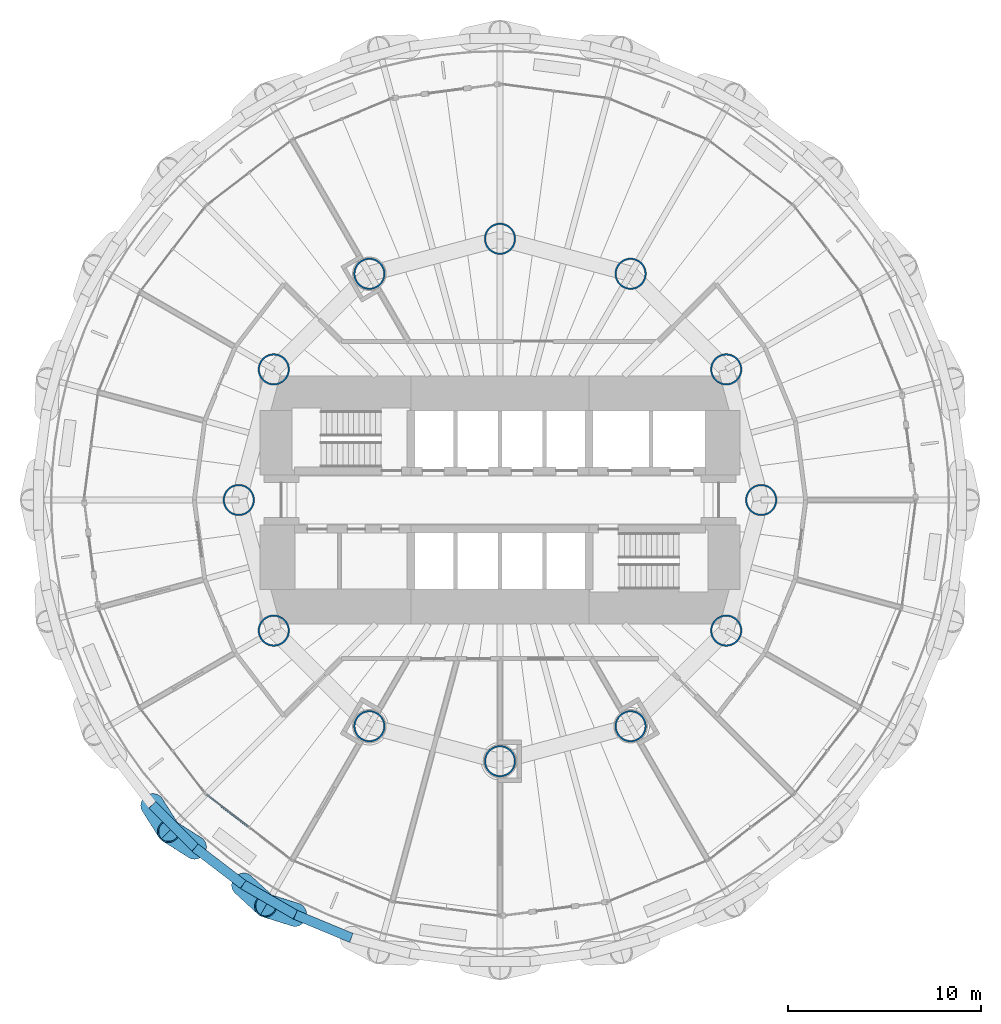
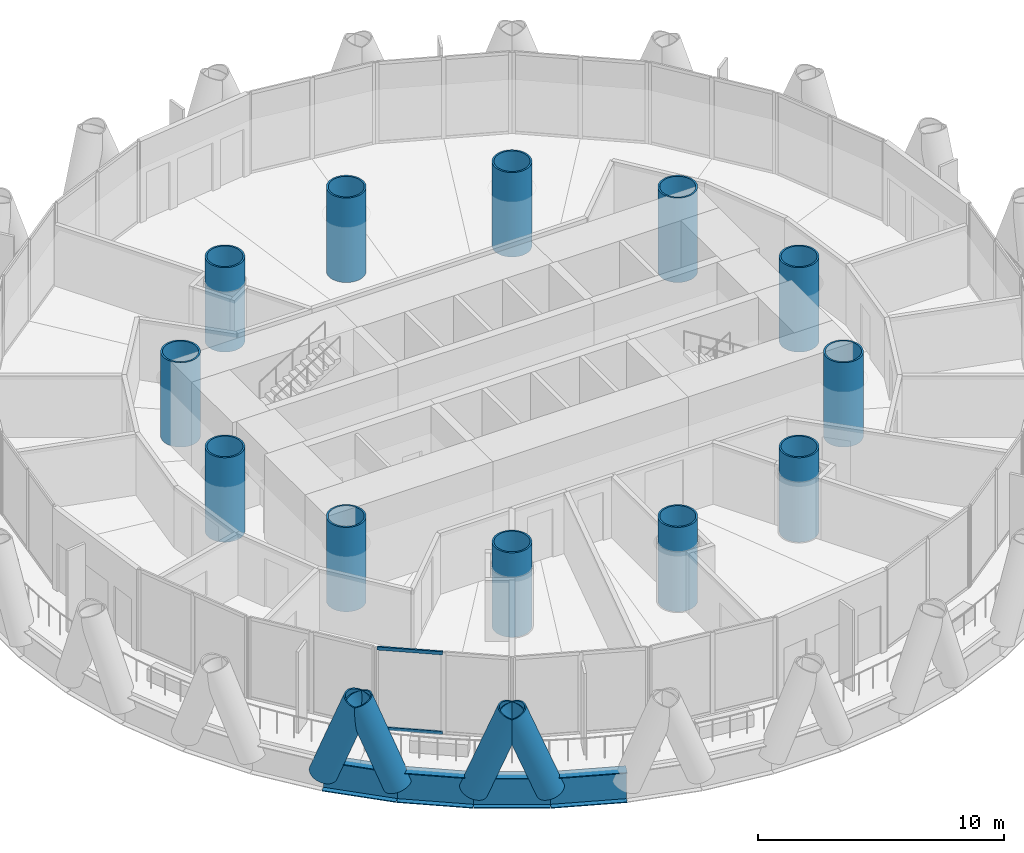
# One storey, part 1 of 16: 12 columns, 6 members, 4 beams, 1 element without a shape of its own.
"""IFC4 building model written with IfcOpenShell, lengths in metres."""

from ifc_helpers import new_model, si_unit, direction, frame, origin, origin_2d, place, context, subcontext, project, spatial, rectangle, hollow_circle, i_section, extrude, material, material_profile, profile_set, type_object, element, aggregate, save


model = new_model("IFC4")

# Units and contexts
model_context = context("Model", 3, precision=1e-05, world=origin(), true_north=direction((0.0, 1.0)))
body_context = subcontext(model_context, "Body", "Model", "MODEL_VIEW")
ifc_project = project(units=[si_unit("LENGTHUNIT", "METRE"), si_unit("AREAUNIT", "SQUARE_METRE"), si_unit("VOLUMEUNIT", "CUBIC_METRE"), si_unit("PLANEANGLEUNIT", "RADIAN"), si_unit("MASSUNIT", "GRAM", prefix="KILO")], contexts=[model_context])

# Site, building, storey
site_placement = place(None, origin())
site = spatial("IfcSite", under=ifc_project, at=site_placement, CompositionType="ELEMENT")
building_placement = place(site_placement, origin())
building = spatial("IfcBuilding", under=site, at=building_placement, Name="Qaws Media Tower", CompositionType="ELEMENT")
storey_placement = place(building_placement, frame((0.0, 0.0, 38.60009765625)))
storey = spatial("IfcBuildingStorey", under=building, at=storey_placement, Name="L07", CompositionType="ELEMENT", Elevation=38.60009765625)

# Columns
ifc_material_1 = material(Name="Steel S460", Category="steel")
ifc_material_profile_1 = material_profile(ifc_material_1, hollow_circle(Radius=0.81298828125, WallThickness=0.080078125, at=origin_2d()), Name="CHS 1626x80")
ifc_profile_set_1 = profile_set([ifc_material_profile_1], Name="Steel S460")
column_type = type_object("IfcColumnType", Name="Inner column CHS 1626x80", PredefinedType="COLUMN", material=ifc_profile_set_1)
for number, where, z_axis, x_axis, name in (
    (1, (73.5, 50.0, 0.0), (0.0, 0.0, 1.0), (1.0, 0.0, 0.0), "C6 inner column I01 L07"),
    (2, (71.69140625, 56.75, 0.0), (0.0, 0.0, 1.0), (1.0, 0.0, 0.0), "C6 inner column I02 L07"),
    (3, (66.75, 61.69140625, 0.0), (0.0, 0.0, 1.0), (1.0, 0.0, 0.0), "C6 inner column I03 L07"),
    (4, (60.0, 63.5, 0.0), (0.0, 0.0, 1.0), (1.0, 0.0, 0.0), "C6 inner column I04 L07"),
    (5, (53.25, 61.69140625, 0.0), (0.0, 0.0, 1.0), (1.0, 0.0, 0.0), "C6 inner column I05 L07"),
    (6, (48.30859375, 56.75, 0.0), (0.0, 0.0, 1.0), (1.0, 0.0, 0.0), "C6 inner column I06 L07"),
    (7, (46.5, 50.0, 0.0), (0.0, 0.0, 1.0), (1.0, 0.0, 0.0), "C6 inner column I07 L07"),
    (8, (48.30859375, 43.25, 0.0), (0.0, 0.0, 1.0), (1.0, 0.0, 0.0), "C6 inner column I08 L07"),
    (9, (53.25, 38.30859375, 0.0), (0.0, 0.0, 1.0), (1.0, 0.0, 0.0), "C6 inner column I09 L07"),
    (10, (60.0, 36.5, 0.0), (0.0, 0.0, 1.0), (1.0, 0.0, 0.0), "C6 inner column I10 L07"),
    (11, (66.75, 38.30859375, 0.0), (0.0, 0.0, 1.0), (1.0, 0.0, 0.0), "C6 inner column I11 L07"),
    (12, (71.69140625, 43.25, 0.0), (0.0, 0.0, 1.0), (1.0, 0.0, 0.0), "C6 inner column I12 L07"),
):
    element("IfcColumn", number, at=place(storey_placement, frame(where, z_axis=z_axis, x_axis=x_axis)), inside=storey, type_object=column_type, Name=name, PredefinedType="COLUMN", context=body_context, shape_type="SweptSolid", body=[
        extrude(hollow_circle(Radius=0.81298828125, WallThickness=0.080078125, at=origin_2d()), origin(), (0.0, 0.0, 1.0), 4.199951171875),
    ])

# Curtain wall, members
ifc_material_2 = material(Name="Aluminium and clear glass", Category="aluminium")
curtain_wall_type = type_object("IfcCurtainWallType", Name="Unitised curtain wall CW-A", PredefinedType="NOTDEFINED", material=ifc_material_2)
curtain_wall_placement = place(storey_placement, origin())
curtain_wall = element("IfcCurtainWall", 13, at=curtain_wall_placement, inside=storey, type_object=curtain_wall_type, Name="CWA curtain wall L07-16", PredefinedType="NOTDEFINED")
ifc_material_3 = material(Name="Aluminium transom", Category="aluminium")
ifc_material_profile_2 = material_profile(ifc_material_3, rectangle(XDim=0.080078125, YDim=0.159912109375, at=origin_2d()), Name="80x160")
ifc_profile_set_2 = profile_set([ifc_material_profile_2], Name="Aluminium transom")
member_type_1 = type_object("IfcMemberType", Name="Curtain wall transom 80x160", PredefinedType="USERDEFINED", material=ifc_profile_set_2)
member_1_placement = place(storey_placement, frame((44.860595703125, 34.74853515625, 0.039794921875), z_axis=(0.793386899068, -0.608717691863, 0.0), x_axis=(0.608717691863, 0.793386899068, 0.0)))
member_1 = element("IfcMember", 14, at=member_1_placement, type_object=member_type_1, Name="CWA transom 1.1", ObjectType="TRANSOM", PredefinedType="USERDEFINED", context=body_context, shape_type="SweptSolid", body=[
    extrude(rectangle(XDim=0.080078125, YDim=0.159912109375, at=origin_2d()), origin(), (0.0, 0.0, 1.0), 2.686279296875),
])
member_2_placement = place(storey_placement, frame((44.860595703125, 34.74853515625, 4.0), z_axis=(0.793386899068, -0.608717691863, 0.0), x_axis=(0.608717691863, 0.793386899068, 0.0)))
member_2 = element("IfcMember", 15, at=member_2_placement, type_object=member_type_1, Name="CWA transom 1.2", ObjectType="TRANSOM", PredefinedType="USERDEFINED", context=body_context, shape_type="SweptSolid", body=[
    extrude(rectangle(XDim=0.080078125, YDim=0.159912109375, at=origin_2d()), origin(), (0.0, 0.0, 1.0), 2.686279296875),
])
aggregate(curtain_wall, [member_1, member_2])

# Members
ifc_material_4 = material(Name="Steel S460", Category="steel")
ifc_material_profile_3 = material_profile(ifc_material_4, hollow_circle(Radius=0.609619140625, WallThickness=0.06005859375, at=origin_2d()), Name="CHS 1219x60")
ifc_profile_set_3 = profile_set([ifc_material_profile_3], Name="Steel S460")
member_type_2 = type_object("IfcMemberType", Name="Diagrid member CHS 1219x60", PredefinedType="USERDEFINED", material=ifc_profile_set_3)
for number, where, z_axis, x_axis, name in (
    (16, (42.031005859375, 34.24169921875, -0.91015625), (0.190634126153, -0.301158469947, 0.934324465015), (0.844945330191, 0.534852679706, 0.0), "DG1 diagrid L07 A15"),
    (17, (46.721923828125, 30.1279296875, -0.91015625), (0.262058165968, -0.241528013276, 0.93433919775), (0.677716564176, 0.735323234124, 0.0), "DG1 diagrid L07 A16"),
    (18, (44.24169921875, 32.031005859375, -0.91015625), (-0.301158469947, 0.190634126153, 0.934324465015), (-0.534852679706, -0.844945330191, 0.0), "DG1 diagrid L07 B16"),
    (19, (49.42919921875, 28.564697265625, -0.91015625), (-0.340210347051, 0.106234265459, 0.934329278468), (-0.298066743437, -0.954545031131, 0.0), "DG1 diagrid L07 B17"),
):
    element("IfcMember", number, at=place(storey_placement, frame(where, z_axis=z_axis, x_axis=x_axis)), inside=storey, type_object=member_type_2, Name=name, ObjectType="DIAGRID", PredefinedType="USERDEFINED", context=body_context, shape_type="SweptSolid", body=[
        extrude(hollow_circle(Radius=0.609619140625, WallThickness=0.06005859375, at=origin_2d()), origin(), (0.0, 0.0, 1.0), 4.4951171875),
    ])

# Beams
ifc_material_5 = material(Name="Steel S460", Category="steel")
ifc_material_profile_4 = material_profile(ifc_material_5, i_section(OverallWidth=0.5, OverallDepth=1.5, WebThickness=0.02001953125, FlangeThickness=0.0400390625, at=origin_2d()), Name="PG 1500x500")
ifc_profile_set_4 = profile_set([ifc_material_profile_4], Name="Steel S460")
beam_type = type_object("IfcBeamType", Name="Edge ring beam PG 1500x500", PredefinedType="BEAM", material=ifc_profile_set_4)
beam_1_placement = place(storey_placement, frame((42.031005859375, 34.24169921875, -0.91015625), z_axis=(0.707106781187, -0.707106781187, 0.0), x_axis=(0.707106781187, 0.707106781187, 0.0)))
element("IfcBeam", 20, at=beam_1_placement, inside=storey, type_object=beam_type, Name="RB4 edge ring beam L07-30", PredefinedType="BEAM", context=body_context, shape_type="SweptSolid", body=[
    extrude(i_section(OverallWidth=0.5, OverallDepth=1.5, WebThickness=0.02001953125, FlangeThickness=0.0400390625, at=origin_2d()), origin(), (0.0, 0.0, 1.0), 3.12646484375),
])
for number, where, z_axis, x_axis, name in (
    (21, (44.24169921875, 32.031005859375, -0.91015625), (0.793363707434, -0.608747918048, 0.0), (0.608747918048, 0.793363707434, 0.0), "RB4 edge ring beam L07-31"),
    (22, (46.721923828125, 30.1279296875, -0.91015625), (0.86599960537, -0.500044681503, 0.0), (0.500044681503, 0.86599960537, 0.0), "RB4 edge ring beam L07-32"),
):
    element("IfcBeam", number, at=place(storey_placement, frame(where, z_axis=z_axis, x_axis=x_axis)), inside=storey, type_object=beam_type, Name=name, PredefinedType="BEAM", context=body_context, shape_type="SweptSolid", body=[
        extrude(i_section(OverallWidth=0.5, OverallDepth=1.5, WebThickness=0.02001953125, FlangeThickness=0.0400390625, at=origin_2d()), origin(), (0.0, 0.0, 1.0), 3.126220703125),
    ])
beam_2_placement = place(storey_placement, frame((49.42919921875, 28.564697265625, -0.91015625), z_axis=(0.923895011115, -0.382646061572, 0.0), x_axis=(0.382646061572, 0.923895011115, 0.0)))
element("IfcBeam", 23, at=beam_2_placement, inside=storey, type_object=beam_type, Name="RB4 edge ring beam L07-33", PredefinedType="BEAM", context=body_context, shape_type="SweptSolid", body=[
    extrude(i_section(OverallWidth=0.5, OverallDepth=1.5, WebThickness=0.02001953125, FlangeThickness=0.0400390625, at=origin_2d()), origin(), (0.0, 0.0, 1.0), 3.12646484375),
])

save(model, "model.ifc")
